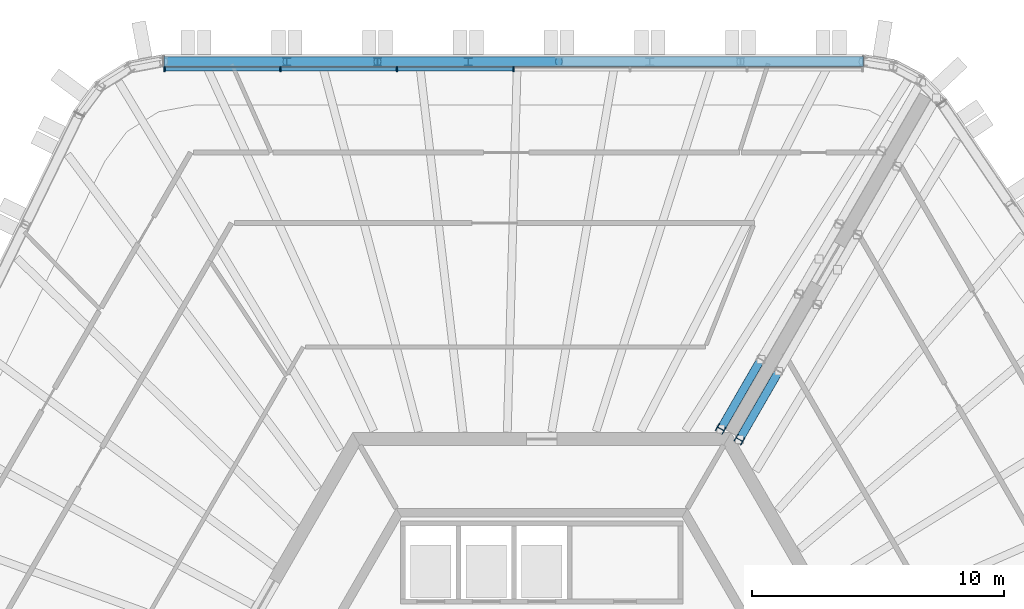
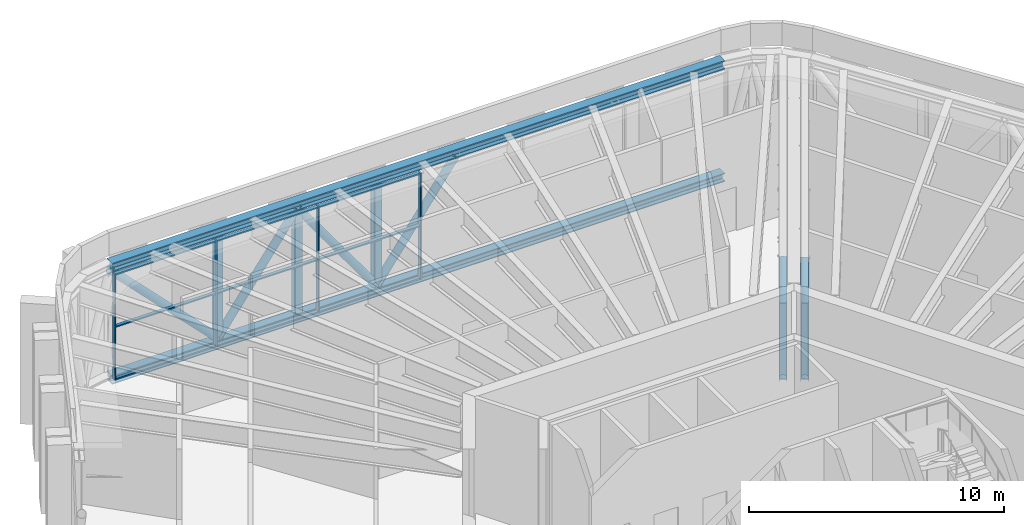
# One storey, part 7 of 24: 26 members, 1 element without a shape of its own.
"""IFC4 building model written with IfcOpenShell, lengths in metres."""

from ifc_helpers import new_model, si_unit, direction, frame, origin, origin_2d, place, context, subcontext, project, spatial, rectangle, hollow_circle, i_section, extrude, material, material_profile, profile_set, type_object, element, aggregate, save


model = new_model("IFC4")

# Units and contexts
model_context = context("Model", 3, precision=1e-05, world=origin(), true_north=direction((0.0, 1.0)))
body_context = subcontext(model_context, "Body", "Model", "MODEL_VIEW")
ifc_project = project(units=[si_unit("LENGTHUNIT", "METRE"), si_unit("AREAUNIT", "SQUARE_METRE"), si_unit("VOLUMEUNIT", "CUBIC_METRE"), si_unit("PLANEANGLEUNIT", "RADIAN"), si_unit("MASSUNIT", "GRAM", prefix="KILO")], contexts=[model_context])

# Site, building, storey
site_placement = place(None, origin())
site = spatial("IfcSite", under=ifc_project, at=site_placement, CompositionType="ELEMENT")
building_placement = place(site_placement, origin())
building = spatial("IfcBuilding", under=site, at=building_placement, Name="Tarnside Tower", CompositionType="ELEMENT")
storey_placement = place(building_placement, frame((0.0, 0.0, 250.199951171875)))
storey = spatial("IfcBuildingStorey", under=building, at=storey_placement, Name="L60", CompositionType="ELEMENT", Elevation=250.199951171875)

# Members
ifc_material_1 = material(Name="Steel S355", Category="steel")
ifc_material_profile_1 = material_profile(ifc_material_1, hollow_circle(Radius=0.161865234375, WallThickness=0.012451171875, at=origin_2d()), Name="CHS 323.9x12.5")
ifc_profile_set_1 = profile_set([ifc_material_profile_1], Name="Steel S355")
member_type_1 = type_object("IfcMemberType", Name="Outrigger diagonal CHS 323.9x12.5", PredefinedType="BRACE", material=ifc_profile_set_1)
member_1_placement = place(storey_placement, frame((7.101806640625, 13.152099609375, 0.9267578125), z_axis=(0.328694618571, 0.56924963643, 0.753601153891), x_axis=(-0.866000246787, 0.500043570666, 0.0)))
element("IfcMember", 1, at=member_1_placement, inside=storey, type_object=member_type_1, Name="Outrigger truss diagonal OR1A 1", PredefinedType="BRACE", context=body_context, shape_type="SweptSolid", body=[
    extrude(hollow_circle(Radius=0.161865234375, WallThickness=0.012451171875, at=origin_2d()), origin(), (0.0, 0.0, 1.0), 4.839111328125),
])
member_2_placement = place(storey_placement, frame((7.839111328125, 12.7265625, 0.9267578125), z_axis=(0.325646615717, 0.564013842073, 0.758842979557), x_axis=(-0.866016712352, 0.5000150537, 0.0)))
element("IfcMember", 2, at=member_2_placement, inside=storey, type_object=member_type_1, Name="Outrigger truss diagonal OR1B 1", PredefinedType="BRACE", context=body_context, shape_type="SweptSolid", body=[
    extrude(hollow_circle(Radius=0.161865234375, WallThickness=0.012451171875, at=origin_2d()), origin(), (0.0, 0.0, 1.0), 4.8056640625),
])
ifc_material_profile_2 = material_profile(ifc_material_1, i_section(OverallWidth=0.311279296875, OverallDepth=0.3271484375, WebThickness=0.015869140625, FlangeThickness=0.02490234375, FilletRadius=0.01513671875, at=origin_2d()), Name="UC 305x305x158")
ifc_profile_set_2 = profile_set([ifc_material_profile_2], Name="Steel S355")
member_type_2 = type_object("IfcMemberType", Name="Outrigger post UC 305x305x158", PredefinedType="POST", material=ifc_profile_set_2)
for number, where, z_axis, x_axis, name in (
    (3, (7.101806640625, 13.152099609375, 0.9267578125), (0.0, 0.0, 1.0), (0.5, 0.866025403784, 0.0), "Outrigger truss post OR1A 1"),
    (4, (7.839111328125, 12.7265625, 0.9267578125), (0.0, 0.0, 1.0), (0.5, 0.866025403784, 0.0), "Outrigger truss post OR1B 1"),
):
    element("IfcMember", number, at=place(storey_placement, frame(where, z_axis=z_axis, x_axis=x_axis)), inside=storey, type_object=member_type_2, Name=name, PredefinedType="POST", context=body_context, shape_type="SweptSolid", body=[
        extrude(i_section(OverallWidth=0.311279296875, OverallDepth=0.3271484375, WebThickness=0.015869140625, FlangeThickness=0.02490234375, FilletRadius=0.01513671875, at=origin_2d()), origin(), (0.0, 0.0, 1.0), 3.646728515625),
    ])

# Curtain wall, members
ifc_material_2 = material(Name="Sky lobby glazing wall", Category="glass")
curtain_wall_type = type_object("IfcCurtainWallType", Name="Sky lobby glazing wall", PredefinedType="NOTDEFINED", material=ifc_material_2)
curtain_wall_placement = place(storey_placement, origin())
curtain_wall = element("IfcCurtainWall", 5, at=curtain_wall_placement, inside=storey, type_object=curtain_wall_type, Name="Sky lobby glazing L60 F1", PredefinedType="NOTDEFINED")
ifc_material_3 = material(Name="Aluminium alloy 6063", Category="aluminium")
ifc_material_profile_3 = material_profile(ifc_material_3, rectangle(XDim=0.199951171875, YDim=0.06005859375, at=origin_2d()), Name="Sky lobby glazing mullion 60 x 200")
ifc_profile_set_3 = profile_set([ifc_material_profile_3], Name="Aluminium alloy 6063")
member_type_3 = type_object("IfcMemberType", Name="Sky lobby glazing mullion 60 x 200", PredefinedType="MULLION", material=ifc_profile_set_3)
member_3_placement = place(storey_placement, frame((-1.117919921875, 27.42138671875, 0.0), z_axis=(0.0, 0.0, 1.0), x_axis=(0.0, -1.0, 0.0)))
member_3 = element("IfcMember", 6, at=member_3_placement, type_object=member_type_3, Name="CW4 mullion 4", PredefinedType="MULLION", context=body_context, shape_type="SweptSolid", body=[
    extrude(rectangle(XDim=0.199951171875, YDim=0.06005859375, at=origin_2d()), origin(), (0.0, 0.0, 1.0), 5.0810546875),
])
member_4_placement = place(storey_placement, frame((-5.744140625, 27.42138671875, 0.0), z_axis=(0.0, 0.0, 1.0), x_axis=(0.0, -1.0, 0.0)))
member_4 = element("IfcMember", 7, at=member_4_placement, type_object=member_type_3, Name="CW4 mullion 5", PredefinedType="MULLION", context=body_context, shape_type="SweptSolid", body=[
    extrude(rectangle(XDim=0.199951171875, YDim=0.06005859375, at=origin_2d()), origin(), (0.0, 0.0, 1.0), 5.0810546875),
])
member_5_placement = place(storey_placement, frame((-10.37060546875, 27.42138671875, 0.0), z_axis=(0.0, 0.0, 1.0), x_axis=(0.0, -1.0, 0.0)))
member_5 = element("IfcMember", 8, at=member_5_placement, type_object=member_type_3, Name="CW4 mullion 6", PredefinedType="MULLION", context=body_context, shape_type="SweptSolid", body=[
    extrude(rectangle(XDim=0.199951171875, YDim=0.06005859375, at=origin_2d()), origin(), (0.0, 0.0, 1.0), 5.0810546875),
])
member_6_placement = place(storey_placement, frame((-14.966796875, 27.42138671875, 0.0), z_axis=(0.0, 0.0, 1.0), x_axis=(0.0, -1.0, 0.0)))
member_6 = element("IfcMember", 9, at=member_6_placement, type_object=member_type_3, Name="CW4 mullion 7", PredefinedType="MULLION", context=body_context, shape_type="SweptSolid", body=[
    extrude(rectangle(XDim=0.199951171875, YDim=0.06005859375, at=origin_2d()), origin(), (0.0, 0.0, 1.0), 5.0810546875),
])
ifc_material_profile_4 = material_profile(ifc_material_3, rectangle(XDim=0.159912109375, YDim=0.06005859375, at=origin_2d()), Name="Sky lobby glazing transom 60 x 160")
ifc_profile_set_4 = profile_set([ifc_material_profile_4], Name="Aluminium alloy 6063")
member_type_4 = type_object("IfcMemberType", Name="Sky lobby glazing transom 60 x 160", PredefinedType="USERDEFINED", material=ifc_profile_set_4)
member_7_placement = place(storey_placement, frame((-1.14794921875, 27.42138671875, 0.030029296875), z_axis=(-1.0, 0.0, 0.0), x_axis=(0.0, -1.0, 0.0)))
member_7 = element("IfcMember", 10, at=member_7_placement, type_object=member_type_4, Name="CW4 transom 4.1", ObjectType="TRANSOM", PredefinedType="USERDEFINED", context=body_context, shape_type="SweptSolid", body=[
    extrude(rectangle(XDim=0.159912109375, YDim=0.06005859375, at=origin_2d()), origin(), (0.0, 0.0, 1.0), 4.56640625),
])
member_8_placement = place(storey_placement, frame((-1.14794921875, 27.42138671875, 2.54052734375), z_axis=(-1.0, 0.0, 0.0), x_axis=(0.0, -1.0, 0.0)))
member_8 = element("IfcMember", 11, at=member_8_placement, type_object=member_type_4, Name="CW4 transom 4.2", ObjectType="TRANSOM", PredefinedType="USERDEFINED", context=body_context, shape_type="SweptSolid", body=[
    extrude(rectangle(XDim=0.159912109375, YDim=0.06005859375, at=origin_2d()), origin(), (0.0, 0.0, 1.0), 4.56640625),
])
member_9_placement = place(storey_placement, frame((-1.14794921875, 27.42138671875, 5.051025390625), z_axis=(-1.0, 0.0, 0.0), x_axis=(0.0, -1.0, 0.0)))
member_9 = element("IfcMember", 12, at=member_9_placement, type_object=member_type_4, Name="CW4 transom 4.3", ObjectType="TRANSOM", PredefinedType="USERDEFINED", context=body_context, shape_type="SweptSolid", body=[
    extrude(rectangle(XDim=0.159912109375, YDim=0.06005859375, at=origin_2d()), origin(), (0.0, 0.0, 1.0), 4.56640625),
])
member_10_placement = place(storey_placement, frame((-5.774169921875, 27.42138671875, 0.030029296875), z_axis=(-1.0, 0.0, 0.0), x_axis=(0.0, -1.0, 0.0)))
member_10 = element("IfcMember", 13, at=member_10_placement, type_object=member_type_4, Name="CW4 transom 5.1", ObjectType="TRANSOM", PredefinedType="USERDEFINED", context=body_context, shape_type="SweptSolid", body=[
    extrude(rectangle(XDim=0.159912109375, YDim=0.06005859375, at=origin_2d()), origin(), (0.0, 0.0, 1.0), 4.56640625),
])
member_11_placement = place(storey_placement, frame((-5.774169921875, 27.42138671875, 2.54052734375), z_axis=(-1.0, 0.0, 0.0), x_axis=(0.0, -1.0, 0.0)))
member_11 = element("IfcMember", 14, at=member_11_placement, type_object=member_type_4, Name="CW4 transom 5.2", ObjectType="TRANSOM", PredefinedType="USERDEFINED", context=body_context, shape_type="SweptSolid", body=[
    extrude(rectangle(XDim=0.159912109375, YDim=0.06005859375, at=origin_2d()), origin(), (0.0, 0.0, 1.0), 4.56640625),
])
member_12_placement = place(storey_placement, frame((-5.774169921875, 27.42138671875, 5.051025390625), z_axis=(-1.0, 0.0, 0.0), x_axis=(0.0, -1.0, 0.0)))
member_12 = element("IfcMember", 15, at=member_12_placement, type_object=member_type_4, Name="CW4 transom 5.3", ObjectType="TRANSOM", PredefinedType="USERDEFINED", context=body_context, shape_type="SweptSolid", body=[
    extrude(rectangle(XDim=0.159912109375, YDim=0.06005859375, at=origin_2d()), origin(), (0.0, 0.0, 1.0), 4.56640625),
])
member_13_placement = place(storey_placement, frame((-10.400634765625, 27.42138671875, 0.030029296875), z_axis=(-1.0, 0.0, 0.0), x_axis=(0.0, -1.0, 0.0)))
member_13 = element("IfcMember", 16, at=member_13_placement, type_object=member_type_4, Name="CW4 transom 6.1", ObjectType="TRANSOM", PredefinedType="USERDEFINED", context=body_context, shape_type="SweptSolid", body=[
    extrude(rectangle(XDim=0.159912109375, YDim=0.06005859375, at=origin_2d()), origin(), (0.0, 0.0, 1.0), 4.5361328125),
])
member_14_placement = place(storey_placement, frame((-10.400634765625, 27.42138671875, 2.54052734375), z_axis=(-1.0, 0.0, 0.0), x_axis=(0.0, -1.0, 0.0)))
member_14 = element("IfcMember", 17, at=member_14_placement, type_object=member_type_4, Name="CW4 transom 6.2", ObjectType="TRANSOM", PredefinedType="USERDEFINED", context=body_context, shape_type="SweptSolid", body=[
    extrude(rectangle(XDim=0.159912109375, YDim=0.06005859375, at=origin_2d()), origin(), (0.0, 0.0, 1.0), 4.5361328125),
])
member_15_placement = place(storey_placement, frame((-10.400634765625, 27.42138671875, 5.051025390625), z_axis=(-1.0, 0.0, 0.0), x_axis=(0.0, -1.0, 0.0)))
member_15 = element("IfcMember", 18, at=member_15_placement, type_object=member_type_4, Name="CW4 transom 6.3", ObjectType="TRANSOM", PredefinedType="USERDEFINED", context=body_context, shape_type="SweptSolid", body=[
    extrude(rectangle(XDim=0.159912109375, YDim=0.06005859375, at=origin_2d()), origin(), (0.0, 0.0, 1.0), 4.5361328125),
])
aggregate(curtain_wall, [member_3, member_4, member_5, member_6, member_7, member_8, member_9, member_10, member_11, member_12, member_13, member_14, member_15])

# Members
ifc_material_profile_5 = material_profile(ifc_material_1, i_section(OverallWidth=0.403076171875, OverallDepth=0.406494140625, WebThickness=0.026611328125, FlangeThickness=0.04296875, FilletRadius=0.01513671875, at=origin_2d()), Name="UC 356x406x340")
ifc_profile_set_5 = profile_set([ifc_material_profile_5], Name="Steel S355")
member_type_5 = type_object("IfcMemberType", Name="Truss chord UC 356x406x340", PredefinedType="CHORD", material=ifc_profile_set_5)
member_16_placement = place(storey_placement, frame((12.760986328125, 27.72509765625, -0.0966796875), z_axis=(-1.0, 0.0, 0.0), x_axis=(0.0, -1.0, 0.0)))
element("IfcMember", 19, at=member_16_placement, inside=storey, type_object=member_type_5, Name="Belt truss bottom chord L60 run", PredefinedType="CHORD", context=body_context, shape_type="SweptSolid", body=[
    extrude(i_section(OverallWidth=0.403076171875, OverallDepth=0.406494140625, WebThickness=0.026611328125, FlangeThickness=0.04296875, FilletRadius=0.01513671875, at=origin_2d()), origin(), (0.0, 0.0, 1.0), 27.7578125),
])
ifc_material_profile_6 = material_profile(ifc_material_1, i_section(OverallWidth=0.406982421875, OverallDepth=0.4189453125, WebThickness=0.030517578125, FlangeThickness=0.04931640625, FilletRadius=0.01513671875, at=origin_2d()), Name="UC 356x406x393")
ifc_profile_set_6 = profile_set([ifc_material_profile_6], Name="Steel S355")
member_type_6 = type_object("IfcMemberType", Name="Truss chord UC 356x406x393", PredefinedType="CHORD", material=ifc_profile_set_6)
member_17_placement = place(storey_placement, frame((12.760986328125, 27.72509765625, 5.29052734375), z_axis=(-1.0, 0.0, 0.0), x_axis=(0.0, -1.0, 0.0)))
element("IfcMember", 20, at=member_17_placement, inside=storey, type_object=member_type_6, Name="Belt truss top chord L60 run", PredefinedType="CHORD", context=body_context, shape_type="SweptSolid", body=[
    extrude(i_section(OverallWidth=0.406982421875, OverallDepth=0.4189453125, WebThickness=0.030517578125, FlangeThickness=0.04931640625, FilletRadius=0.01513671875, at=origin_2d()), origin(), (0.0, 0.0, 1.0), 27.7578125),
])
ifc_material_profile_7 = material_profile(ifc_material_1, hollow_circle(Radius=0.177734375, WallThickness=0.01611328125, at=origin_2d()), Name="CHS 355.6x16")
ifc_profile_set_7 = profile_set([ifc_material_profile_7], Name="Steel S355")
member_type_7 = type_object("IfcMemberType", Name="Truss diagonal CHS 355.6x16", PredefinedType="BRACE", material=ifc_profile_set_7)
member_18_placement = place(storey_placement, frame((0.68212890625, 27.72509765625, 5.0810546875), z_axis=(-0.586274153425, 0.0, -0.810112718716), x_axis=(0.0, -1.0, 0.0)))
element("IfcMember", 21, at=member_18_placement, inside=storey, type_object=member_type_7, Name="Belt truss diagonal L60 4", PredefinedType="BRACE", context=body_context, shape_type="SweptSolid", body=[
    extrude(hollow_circle(Radius=0.177734375, WallThickness=0.01611328125, at=origin_2d()), origin(), (0.0, 0.0, 1.0), 6.140625),
])
member_19_placement = place(storey_placement, frame((-2.91796875, 27.72509765625, 0.1064453125), z_axis=(-0.586248059909, 0.0, 0.810131601811), x_axis=(0.0, -1.0, 0.0)))
element("IfcMember", 22, at=member_19_placement, inside=storey, type_object=member_type_7, Name="Belt truss diagonal L60 5", PredefinedType="BRACE", context=body_context, shape_type="SweptSolid", body=[
    extrude(hollow_circle(Radius=0.177734375, WallThickness=0.01611328125, at=origin_2d()), origin(), (0.0, 0.0, 1.0), 6.140380859375),
])
member_20_placement = place(storey_placement, frame((-6.517822265625, 27.72509765625, 5.0810546875), z_axis=(-0.586274153425, 0.0, -0.810112718716), x_axis=(0.0, -1.0, 0.0)))
element("IfcMember", 23, at=member_20_placement, inside=storey, type_object=member_type_7, Name="Belt truss diagonal L60 6", PredefinedType="BRACE", context=body_context, shape_type="SweptSolid", body=[
    extrude(hollow_circle(Radius=0.177734375, WallThickness=0.01611328125, at=origin_2d()), origin(), (0.0, 0.0, 1.0), 6.140625),
])
member_21_placement = place(storey_placement, frame((-10.117919921875, 27.72509765625, 0.1064453125), z_axis=(-0.700205919301, 0.0, 0.713940943339), x_axis=(0.0, -1.0, 0.0)))
element("IfcMember", 24, at=member_21_placement, inside=storey, type_object=member_type_7, Name="Belt truss diagonal L60 7", PredefinedType="BRACE", context=body_context, shape_type="SweptSolid", body=[
    extrude(hollow_circle(Radius=0.177734375, WallThickness=0.01611328125, at=origin_2d()), origin(), (0.0, 0.0, 1.0), 6.9677734375),
])
ifc_material_profile_8 = material_profile(ifc_material_1, i_section(OverallWidth=0.311279296875, OverallDepth=0.3271484375, WebThickness=0.015869140625, FlangeThickness=0.02490234375, FilletRadius=0.01513671875, at=origin_2d()), Name="UC 305x305x158")
ifc_profile_set_8 = profile_set([ifc_material_profile_8], Name="Steel S355")
member_type_8 = type_object("IfcMemberType", Name="Truss post UC 305x305x158", PredefinedType="POST", material=ifc_profile_set_8)
for number, where, z_axis, x_axis, name in (
    (25, (-2.91796875, 27.72509765625, 0.1064453125), (0.0, 0.0, 1.0), (-1.0, 0.0, 0.0), "Belt truss post L60 5"),
    (26, (-6.517822265625, 27.72509765625, 0.1064453125), (0.0, 0.0, 1.0), (-1.0, 0.0, 0.0), "Belt truss post L60 6"),
    (27, (-10.117919921875, 27.72509765625, 0.1064453125), (0.0, 0.0, 1.0), (-1.0, 0.0, 0.0), "Belt truss post L60 7"),
):
    element("IfcMember", number, at=place(storey_placement, frame(where, z_axis=z_axis, x_axis=x_axis)), inside=storey, type_object=member_type_8, Name=name, PredefinedType="POST", context=body_context, shape_type="SweptSolid", body=[
        extrude(i_section(OverallWidth=0.311279296875, OverallDepth=0.3271484375, WebThickness=0.015869140625, FlangeThickness=0.02490234375, FilletRadius=0.01513671875, at=origin_2d()), origin(), (0.0, 0.0, 1.0), 4.974609375),
    ])

save(model, "model.ifc")
